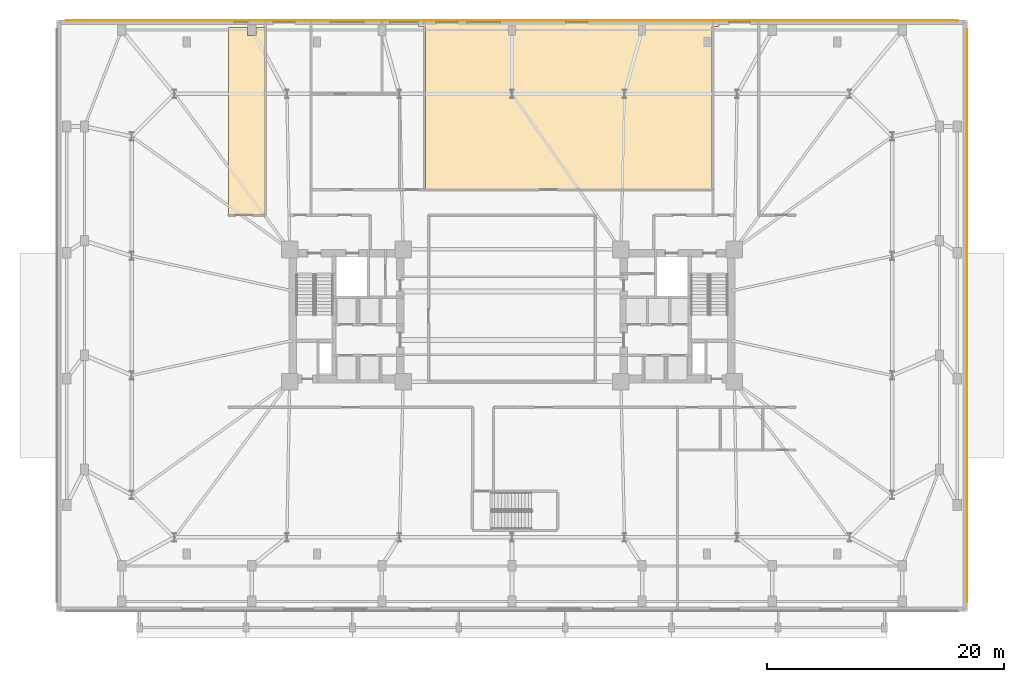
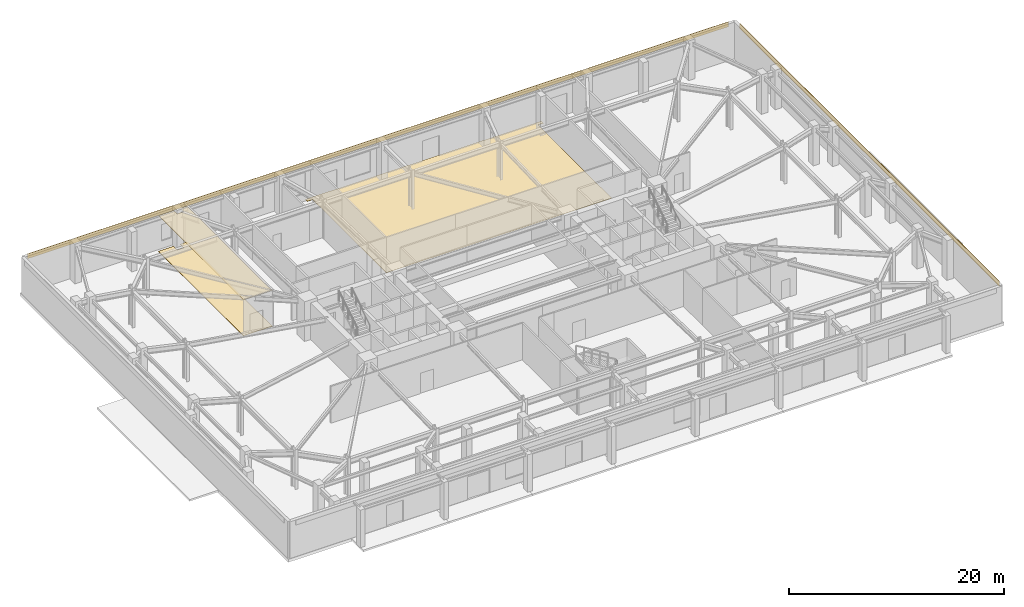
# One storey, part 17 of 18: 5 coverings.
"""IFC4 building model written with IfcOpenShell, lengths in metres."""

from ifc_helpers import new_model, si_unit, direction, frame, origin, place, context, subcontext, project, spatial, polyline, outline, extrude, material, layer, layer_set, type_object, element, save


model = new_model("IFC4")

# Units and contexts
model_context = context("Model", 3, precision=1e-05, world=origin(), true_north=direction((0.0, 1.0)))
body_context = subcontext(model_context, "Body", "Model", "MODEL_VIEW")
ifc_project = project(units=[si_unit("LENGTHUNIT", "METRE"), si_unit("AREAUNIT", "SQUARE_METRE"), si_unit("VOLUMEUNIT", "CUBIC_METRE"), si_unit("PLANEANGLEUNIT", "RADIAN"), si_unit("MASSUNIT", "GRAM", prefix="KILO")], contexts=[model_context])

# Site, building, storey
site_placement = place(None, origin())
site = spatial("IfcSite", under=ifc_project, at=site_placement, CompositionType="ELEMENT")
building_placement = place(site_placement, origin())
building = spatial("IfcBuilding", under=site, at=building_placement, Name="Qobustan Lattice House", CompositionType="ELEMENT")
storey_placement = place(building_placement, origin())
storey = spatial("IfcBuildingStorey", under=building, at=storey_placement, Name="L00", CompositionType="ELEMENT", Elevation=0.0)

# Coverings
ifc_material_1 = material(Name="Perforated gypsum acoustic ceiling", Category="gypsum")
ifc_layer_1 = layer(ifc_material_1, 0.030029296875)
ifc_layer_set_1 = layer_set([ifc_layer_1], Name="Perforated gypsum acoustic ceiling")
covering_type_1 = type_object("IfcCoveringType", Name="COV-ACOUSTIC-CEIL", PredefinedType="CEILING", material=ifc_layer_set_1)
covering_1_placement = place(storey_placement, frame((0.0, 0.0, 4.080078125)))
element("IfcCovering", 1, at=covering_1_placement, inside=storey, type_object=covering_type_1, Name="L00 Parcel concierge room acoustic ceiling", PredefinedType="CEILING", context=body_context, shape_type="SweptSolid", body=[
    extrude(outline(polyline([(-23.97998046875, 8.52001953125), (-20.8701171875, 8.52001953125), (-20.8701171875, 24.360107421875), (-21.64794921875, 24.360107421875), (-21.64794921875, 23.697998046875), (-22.35205078125, 23.697998046875), (-22.35205078125, 24.360107421875), (-23.97998046875, 24.360107421875), (-23.97998046875, 8.52001953125)])), origin(), (0.0, 0.0, 1.0), 0.030029296875),
])
ifc_material_2 = material(Name="Qobustan buff limestone cladding", Category="masonry")
ifc_layer_2 = layer(ifc_material_2, 0.044921875)
ifc_layer_set_2 = layer_set([ifc_layer_2], Name="Qobustan buff limestone cladding")
covering_type_2 = type_object("IfcCoveringType", Name="COV-STONE-CLAD", PredefinedType="CLADDING", material=ifc_layer_set_2)
covering_2_placement = place(storey_placement, frame((0.0, 0.0, 3.6201171875)))
element("IfcCovering", 2, at=covering_2_placement, inside=storey, type_object=covering_type_2, Name="L00 N Qobustan limestone cornice band", PredefinedType="CLADDING", context=body_context, shape_type="SweptSolid", body=[
    extrude(outline(polyline([(-37.699951171875, 24.9580078125), (-37.699951171875, 25.0029296875), (37.699951171875, 25.0029296875), (37.699951171875, 24.9580078125), (-37.699951171875, 24.9580078125)])), origin(), (0.0, 0.0, 1.0), 0.5498046875),
])
covering_3_placement = place(storey_placement, frame((0.0, 0.0, 3.6201171875)))
element("IfcCovering", 3, at=covering_3_placement, inside=storey, type_object=covering_type_2, Name="L00 E Qobustan limestone cornice band", PredefinedType="CLADDING", context=body_context, shape_type="SweptSolid", body=[
    extrude(outline(polyline([(38.4580078125, 24.199951171875), (38.5029296875, 24.199951171875), (38.5029296875, -24.199951171875), (38.4580078125, -24.199951171875), (38.4580078125, 24.199951171875)])), origin(), (0.0, 0.0, 1.0), 0.5498046875),
])
ifc_material_3 = material(Name="Honed Absheron stone terrazzo flooring", Category="masonry")
ifc_layer_3 = layer(ifc_material_3, 0.02490234375)
ifc_layer_set_3 = layer_set([ifc_layer_3], Name="Honed Absheron stone terrazzo flooring")
covering_type_3 = type_object("IfcCoveringType", Name="COV-TERRAZZO-FLR", PredefinedType="FLOORING", material=ifc_layer_set_3)
covering_4_placement = place(storey_placement, origin())
element("IfcCovering", 4, at=covering_4_placement, inside=storey, type_object=covering_type_3, Name="L00 Parcel concierge room stone terrazzo flooring", PredefinedType="FLOORING", context=body_context, shape_type="SweptSolid", body=[
    extrude(outline(polyline([(-23.97998046875, 8.52001953125), (-20.8701171875, 8.52001953125), (-20.8701171875, 24.360107421875), (-21.64794921875, 24.360107421875), (-21.64794921875, 23.697998046875), (-22.35205078125, 23.697998046875), (-22.35205078125, 24.360107421875), (-23.97998046875, 24.360107421875), (-23.97998046875, 8.52001953125)])), origin(), (0.0, 0.0, 1.0), 0.02490234375),
])
covering_5_placement = place(storey_placement, origin())
element("IfcCovering", 5, at=covering_5_placement, inside=storey, type_object=covering_type_3, Name="L00 Express observatory arrival hall stone terrazzo flooring", PredefinedType="FLOORING", context=body_context, shape_type="SweptSolid", body=[
    extrude(outline(polyline([(16.919921875, 10.72998046875), (16.919921875, 24.4599609375), (17.5, 24.4599609375), (17.5, 24.830078125), (-7.89990234375, 24.830078125), (-7.89990234375, 24.4599609375), (-7.320068359375, 24.4599609375), (-7.320068359375, 10.72998046875), (16.919921875, 10.72998046875)])), origin(), (0.0, 0.0, 1.0), 0.02490234375),
])

save(model, "model.ifc")
